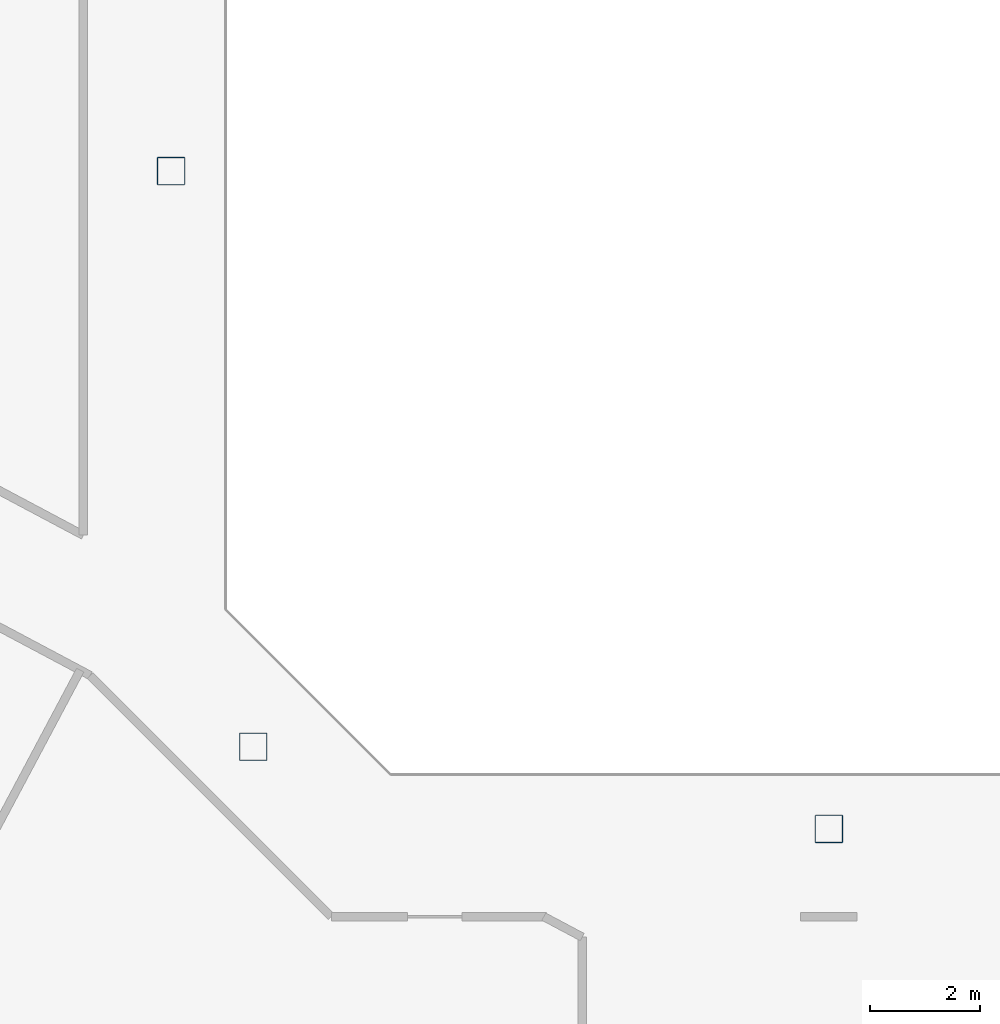
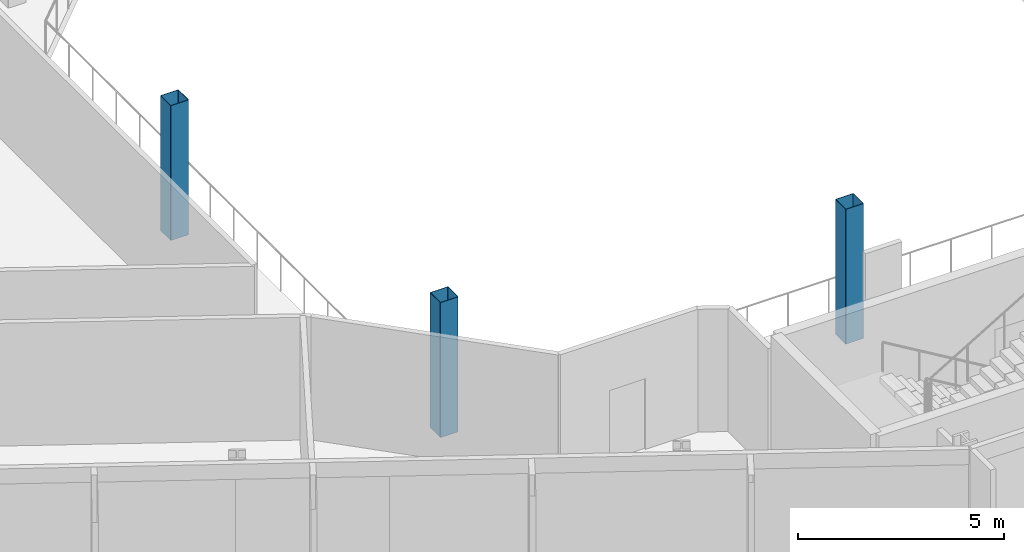
# One storey, part 2 of 28: 3 columns.
"""IFC4 building model written with IfcOpenShell, lengths in metres."""

from ifc_helpers import new_model, si_unit, direction, frame, origin, origin_2d, place, context, subcontext, project, spatial, hollow_rectangle, extrude, material, material_profile, profile_set, type_object, element, save


model = new_model("IFC4")

# Units and contexts
model_context = context("Model", 3, precision=1e-05, world=origin(), true_north=direction((0.0, 1.0)))
body_context = subcontext(model_context, "Body", "Model", "MODEL_VIEW")
ifc_project = project(units=[si_unit("LENGTHUNIT", "METRE"), si_unit("AREAUNIT", "SQUARE_METRE"), si_unit("VOLUMEUNIT", "CUBIC_METRE"), si_unit("PLANEANGLEUNIT", "RADIAN"), si_unit("MASSUNIT", "GRAM", prefix="KILO")], contexts=[model_context])

# Site, building, storey
site_placement = place(None, origin())
site = spatial("IfcSite", under=ifc_project, at=site_placement, CompositionType="ELEMENT")
building_placement = place(site_placement, origin())
building = spatial("IfcBuilding", under=site, at=building_placement, Name="Cormorant Relay Tower", CompositionType="ELEMENT")
storey_placement = place(building_placement, frame((0.0, 0.0, 154.199951171875)))
storey = spatial("IfcBuildingStorey", under=building, at=storey_placement, Name="L32", CompositionType="ELEMENT", Elevation=154.199951171875)

# Columns
ifc_material = material(Name="Steel ASTM A500 Grade C (Fy 345 MPa)", Category="steel")
ifc_material_profile = material_profile(ifc_material, hollow_rectangle(XDim=0.508056640625, YDim=0.508056640625, WallThickness=0.01171875, InnerFilletRadius=0.005859375, OuterFilletRadius=0.017822265625, at=origin_2d()), Name="HSS508x508x12")
ifc_profile_set = profile_set([ifc_material_profile], Name="Steel ASTM A500 Grade C (Fy 345 MPa)")
column_type = type_object("IfcColumnType", Name="Column HSS508x508x12", PredefinedType="COLUMN", material=ifc_profile_set)
for number, where, z_axis, x_axis, name in (
    (1, (0.0, -12.0, 0.0), (0.0, 0.0, 1.0), (1.0, 0.0, 0.0), "Column L32-007"),
    (2, (-10.5, -10.5, 0.0), (0.0, 0.0, 1.0), (1.0, 0.0, 0.0), "Column L32-009"),
    (3, (-12.0, 0.0, 0.0), (0.0, 0.0, 1.0), (1.0, 0.0, 0.0), "Column L32-015"),
):
    element("IfcColumn", number, at=place(storey_placement, frame(where, z_axis=z_axis, x_axis=x_axis)), inside=storey, type_object=column_type, Name=name, PredefinedType="COLUMN", context=body_context, shape_type="SweptSolid", body=[
        extrude(hollow_rectangle(XDim=0.508056640625, YDim=0.508056640625, WallThickness=0.01171875, InnerFilletRadius=0.005859375, OuterFilletRadius=0.017822265625, at=origin_2d()), origin(), (0.0, 0.0, 1.0), 4.0),
    ])

save(model, "model.ifc")
